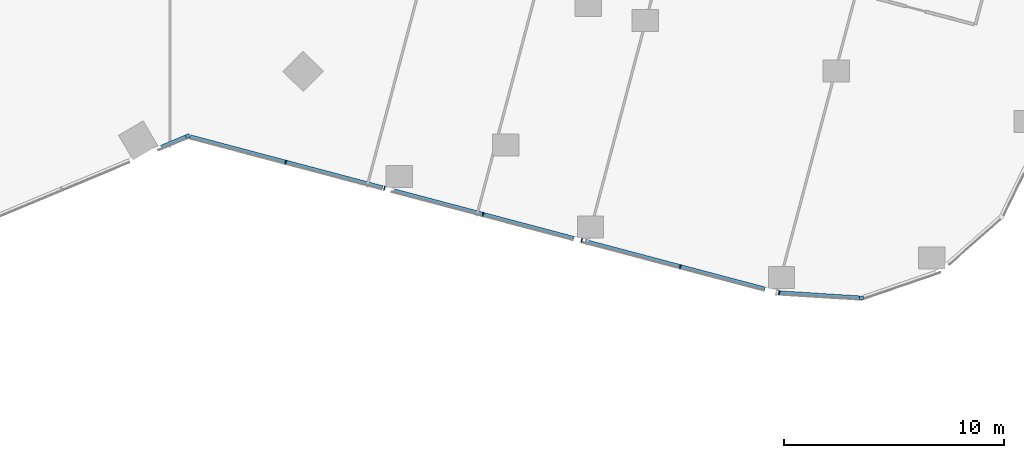
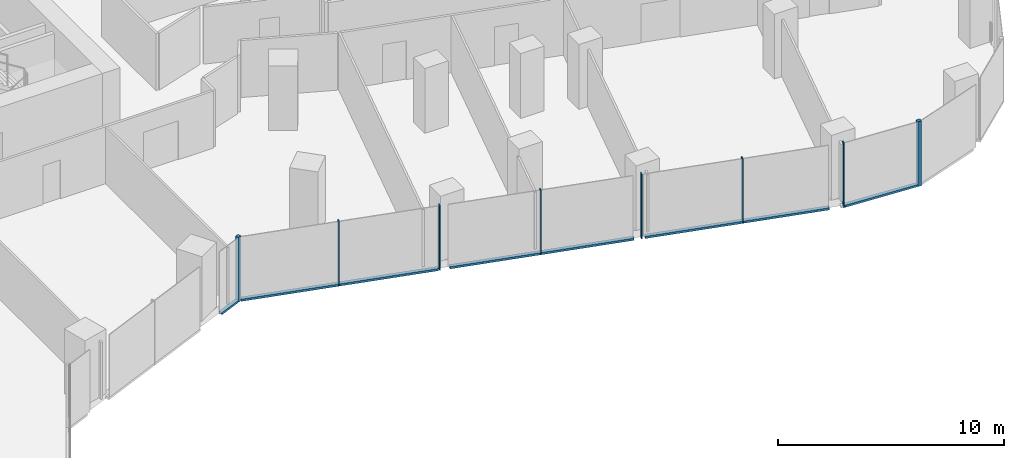
# One storey, part 9 of 34: 13 members, 3 elements without a shape of their own.
"""IFC4 building model written with IfcOpenShell, lengths in metres."""

from ifc_helpers import new_model, si_unit, direction, frame, origin, origin_2d, place, context, subcontext, project, spatial, rectangle, extrude, material, material_profile, profile_set, type_object, element, aggregate, save


model = new_model("IFC4")

# Units and contexts
model_context = context("Model", 3, precision=1e-05, world=origin(), true_north=direction((0.0, 1.0)))
body_context = subcontext(model_context, "Body", "Model", "MODEL_VIEW")
ifc_project = project(units=[si_unit("LENGTHUNIT", "METRE"), si_unit("AREAUNIT", "SQUARE_METRE"), si_unit("VOLUMEUNIT", "CUBIC_METRE"), si_unit("PLANEANGLEUNIT", "RADIAN"), si_unit("MASSUNIT", "GRAM", prefix="KILO")], contexts=[model_context])

# Site, building, storey
site_placement = place(None, origin())
site = spatial("IfcSite", under=ifc_project, at=site_placement, CompositionType="ELEMENT")
building_placement = place(site_placement, origin())
building = spatial("IfcBuilding", under=site, at=building_placement, Name="Orlundy Tower", CompositionType="ELEMENT")
storey_placement = place(building_placement, frame((0.0, 0.0, 109.199951171875)))
storey = spatial("IfcBuildingStorey", under=building, at=storey_placement, Name="L27", CompositionType="ELEMENT", Elevation=109.199951171875)

# Curtain wall, member
ifc_material_1 = material(Name="Aluminium bronze anodised", Category="aluminium")
curtain_wall_type = type_object("IfcCurtainWallType", Name="CW1 wall", PredefinedType="NOTDEFINED", material=ifc_material_1)
curtain_wall_1_placement = place(storey_placement, origin())
curtain_wall_1 = element("IfcCurtainWall", 1, at=curtain_wall_1_placement, inside=storey, type_object=curtain_wall_type, Name="CW1 run 01", PredefinedType="NOTDEFINED")
ifc_material_2 = material(Name="Aluminium bronze anodised", Category="aluminium")
ifc_material_profile_1 = material_profile(ifc_material_2, rectangle(XDim=0.179931640625, YDim=0.179931640625, at=origin_2d()), Name="CW1 corner post 180x180")
ifc_profile_set_1 = profile_set([ifc_material_profile_1], Name="Aluminium bronze anodised")
member_type_1 = type_object("IfcMemberType", Name="CW1 corner post 180x180", PredefinedType="MULLION", material=ifc_profile_set_1)
member_1_placement = place(storey_placement, frame((17.32861328125, -25.371826171875, -0.39990234375), z_axis=(0.0, 0.0, 1.0), x_axis=(0.385377262048, -0.922759105019, 0.0)))
member_1 = element("IfcMember", 2, at=member_1_placement, type_object=member_type_1, Name="CW1 mullion 7", PredefinedType="MULLION", context=body_context, shape_type="SweptSolid", body=[
    extrude(rectangle(XDim=0.179931640625, YDim=0.179931640625, at=origin_2d()), origin(), (0.0, 0.0, 1.0), 3.5),
])

curtain_wall_2_placement = place(storey_placement, origin())
curtain_wall_2 = element("IfcCurtainWall", 3, at=curtain_wall_2_placement, inside=storey, type_object=curtain_wall_type, Name="CW1 run 027", PredefinedType="NOTDEFINED")
member_2_placement = place(storey_placement, frame((47.892333984375, -32.712890625, -0.39990234375), z_axis=(0.0, 0.0, 1.0), x_axis=(-0.06257980311, -0.998039963249, 0.0)))
member_2 = element("IfcMember", 4, at=member_2_placement, type_object=member_type_1, Name="CW1 mullion 68", PredefinedType="MULLION", context=body_context, shape_type="SweptSolid", body=[
    extrude(rectangle(XDim=0.179931640625, YDim=0.179931640625, at=origin_2d()), origin(), (0.0, 0.0, 1.0), 3.5),
])

# Curtain wall, members
curtain_wall_3_placement = place(storey_placement, origin())
curtain_wall_3 = element("IfcCurtainWall", 5, at=curtain_wall_3_placement, inside=storey, type_object=curtain_wall_type, Name="CW1 run 00", PredefinedType="NOTDEFINED")
ifc_material_3 = material(Name="Aluminium bronze anodised", Category="aluminium")
ifc_material_profile_2 = material_profile(ifc_material_3, rectangle(XDim=0.179931640625, YDim=0.050048828125, at=origin_2d()), Name="CW1 mullion 50x180")
ifc_profile_set_2 = profile_set([ifc_material_profile_2], Name="Aluminium bronze anodised")
member_type_2 = type_object("IfcMemberType", Name="CW1 mullion 50x180", PredefinedType="MULLION", material=ifc_profile_set_2)
member_3_placement = place(storey_placement, frame((44.16552734375, -32.479248046875, -0.39990234375), z_axis=(0.0, 0.0, 1.0), x_axis=(-0.160065696582, -0.987106363457, 0.0)))
member_3 = element("IfcMember", 6, at=member_3_placement, type_object=member_type_2, Name="CW1 mullion 1", PredefinedType="MULLION", context=body_context, shape_type="SweptSolid", body=[
    extrude(rectangle(XDim=0.179931640625, YDim=0.050048828125, at=origin_2d()), origin(), (0.0, 0.0, 1.0), 3.5),
])
member_4_placement = place(storey_placement, frame((39.6806640625, -31.29150390625, -0.39990234375), z_axis=(0.0, 0.0, 1.0), x_axis=(-0.256011270968, -0.966673796654, 0.0)))
member_4 = element("IfcMember", 7, at=member_4_placement, type_object=member_type_2, Name="CW1 mullion 2", PredefinedType="MULLION", context=body_context, shape_type="SweptSolid", body=[
    extrude(rectangle(XDim=0.179931640625, YDim=0.050048828125, at=origin_2d()), origin(), (0.0, 0.0, 1.0), 3.5),
])
member_5_placement = place(storey_placement, frame((35.204345703125, -30.10595703125, -0.39990234375), z_axis=(0.0, 0.0, 1.0), x_axis=(-0.256011270968, -0.966673796654, 0.0)))
member_5 = element("IfcMember", 8, at=member_5_placement, type_object=member_type_2, Name="CW1 mullion 3", PredefinedType="MULLION", context=body_context, shape_type="SweptSolid", body=[
    extrude(rectangle(XDim=0.179931640625, YDim=0.050048828125, at=origin_2d()), origin(), (0.0, 0.0, 1.0), 3.5),
])
member_6_placement = place(storey_placement, frame((30.72802734375, -28.92041015625, -0.39990234375), z_axis=(0.0, 0.0, 1.0), x_axis=(-0.256011270968, -0.966673796654, 0.0)))
member_6 = element("IfcMember", 9, at=member_6_placement, type_object=member_type_2, Name="CW1 mullion 4", PredefinedType="MULLION", context=body_context, shape_type="SweptSolid", body=[
    extrude(rectangle(XDim=0.179931640625, YDim=0.050048828125, at=origin_2d()), origin(), (0.0, 0.0, 1.0), 3.5),
])
member_7_placement = place(storey_placement, frame((26.251708984375, -27.735107421875, -0.39990234375), z_axis=(0.0, 0.0, 1.0), x_axis=(-0.256011270968, -0.966673796654, 0.0)))
member_7 = element("IfcMember", 10, at=member_7_placement, type_object=member_type_2, Name="CW1 mullion 5", PredefinedType="MULLION", context=body_context, shape_type="SweptSolid", body=[
    extrude(rectangle(XDim=0.179931640625, YDim=0.050048828125, at=origin_2d()), origin(), (0.0, 0.0, 1.0), 3.5),
])
member_8_placement = place(storey_placement, frame((21.775390625, -26.549560546875, -0.39990234375), z_axis=(0.0, 0.0, 1.0), x_axis=(-0.256011270968, -0.966673796654, 0.0)))
member_8 = element("IfcMember", 11, at=member_8_placement, type_object=member_type_2, Name="CW1 mullion 6", PredefinedType="MULLION", context=body_context, shape_type="SweptSolid", body=[
    extrude(rectangle(XDim=0.179931640625, YDim=0.050048828125, at=origin_2d()), origin(), (0.0, 0.0, 1.0), 3.5),
])
ifc_material_4 = material(Name="Aluminium bronze anodised", Category="aluminium")
ifc_material_profile_3 = material_profile(ifc_material_4, rectangle(XDim=0.179931640625, YDim=0.1201171875, at=origin_2d()), Name="CW1 transom 180x120")
ifc_profile_set_3 = profile_set([ifc_material_profile_3], Name="Aluminium bronze anodised")
member_type_3 = type_object("IfcMemberType", Name="CW1 transom 180x120", PredefinedType="USERDEFINED", material=ifc_profile_set_3)
member_9_placement = place(storey_placement, frame((43.51904296875, -32.30810546875, -0.33984375), z_axis=(-0.966671340271, 0.256020545854, 0.0), x_axis=(-0.256020545854, -0.966671340271, 0.0)))
member_9 = element("IfcMember", 12, at=member_9_placement, type_object=member_type_3, Name="CW1 transom", ObjectType="TRANSOM", PredefinedType="USERDEFINED", context=body_context, shape_type="SweptSolid", body=[
    extrude(rectangle(XDim=0.179931640625, YDim=0.1201171875, at=origin_2d()), origin(), (0.0, 0.0, 1.0), 8.441162109375),
])
member_10_placement = place(storey_placement, frame((34.85205078125, -30.0126953125, -0.33984375), z_axis=(-0.9666761779, 0.256002279443, 0.0), x_axis=(-0.256002279443, -0.9666761779, 0.0)))
member_10 = element("IfcMember", 13, at=member_10_placement, type_object=member_type_3, Name="CW1 transom", ObjectType="TRANSOM", PredefinedType="USERDEFINED", context=body_context, shape_type="SweptSolid", body=[
    extrude(rectangle(XDim=0.179931640625, YDim=0.1201171875, at=origin_2d()), origin(), (0.0, 0.0, 1.0), 8.43994140625),
])
member_11_placement = place(storey_placement, frame((26.18408203125, -27.717041015625, -0.33984375), z_axis=(-0.966675575207, 0.25600455523, 0.0), x_axis=(-0.25600455523, -0.966675575207, 0.0)))
member_11 = element("IfcMember", 14, at=member_11_placement, type_object=member_type_3, Name="CW1 transom", ObjectType="TRANSOM", PredefinedType="USERDEFINED", context=body_context, shape_type="SweptSolid", body=[
    extrude(rectangle(XDim=0.179931640625, YDim=0.1201171875, at=origin_2d()), origin(), (0.0, 0.0, 1.0), 9.04736328125),
])
aggregate(curtain_wall_3, [member_3, member_4, member_5, member_6, member_7, member_8, member_9, member_10, member_11])

# Member
member_12_placement = place(storey_placement, frame((17.245361328125, -25.406494140625, -0.33984375), z_axis=(-0.922718263349, -0.385475040025, 0.0), x_axis=(0.385475040025, -0.922718263349, 0.0)))
member_12 = element("IfcMember", 15, at=member_12_placement, type_object=member_type_3, Name="CW1 transom", ObjectType="TRANSOM", PredefinedType="USERDEFINED", context=body_context, shape_type="SweptSolid", body=[
    extrude(rectangle(XDim=0.179931640625, YDim=0.1201171875, at=origin_2d()), origin(), (0.0, 0.0, 1.0), 1.209716796875),
])

aggregate(curtain_wall_1, [member_1, member_12])

member_13_placement = place(storey_placement, frame((47.802490234375, -32.707275390625, -0.33984375), z_axis=(-0.998042590698, 0.062537885736, 0.0), x_axis=(-0.062537885736, -0.998042590698, 0.0)))
member_13 = element("IfcMember", 16, at=member_13_placement, type_object=member_type_3, Name="CW1 transom", ObjectType="TRANSOM", PredefinedType="USERDEFINED", context=body_context, shape_type="SweptSolid", body=[
    extrude(rectangle(XDim=0.179931640625, YDim=0.1201171875, at=origin_2d()), origin(), (0.0, 0.0, 1.0), 3.618896484375),
])

aggregate(curtain_wall_2, [member_2, member_13])

save(model, "model.ifc")
